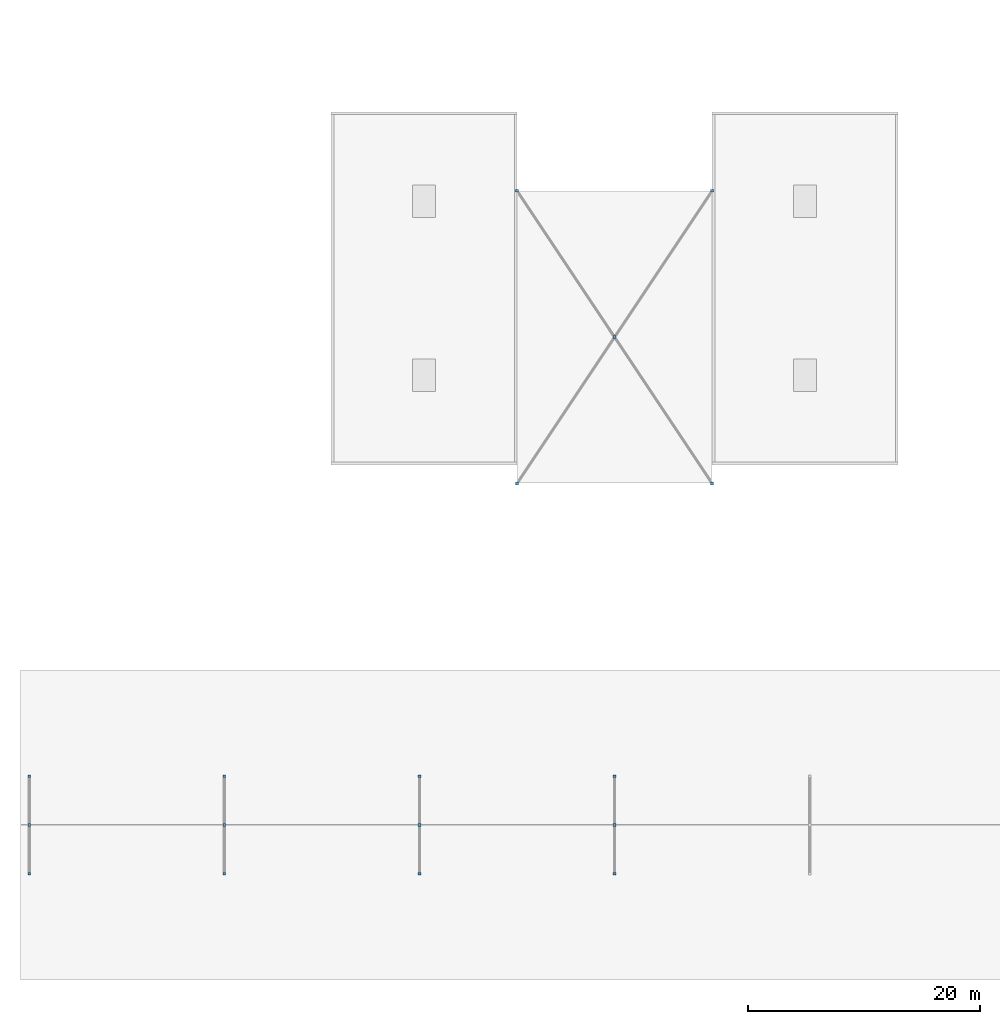
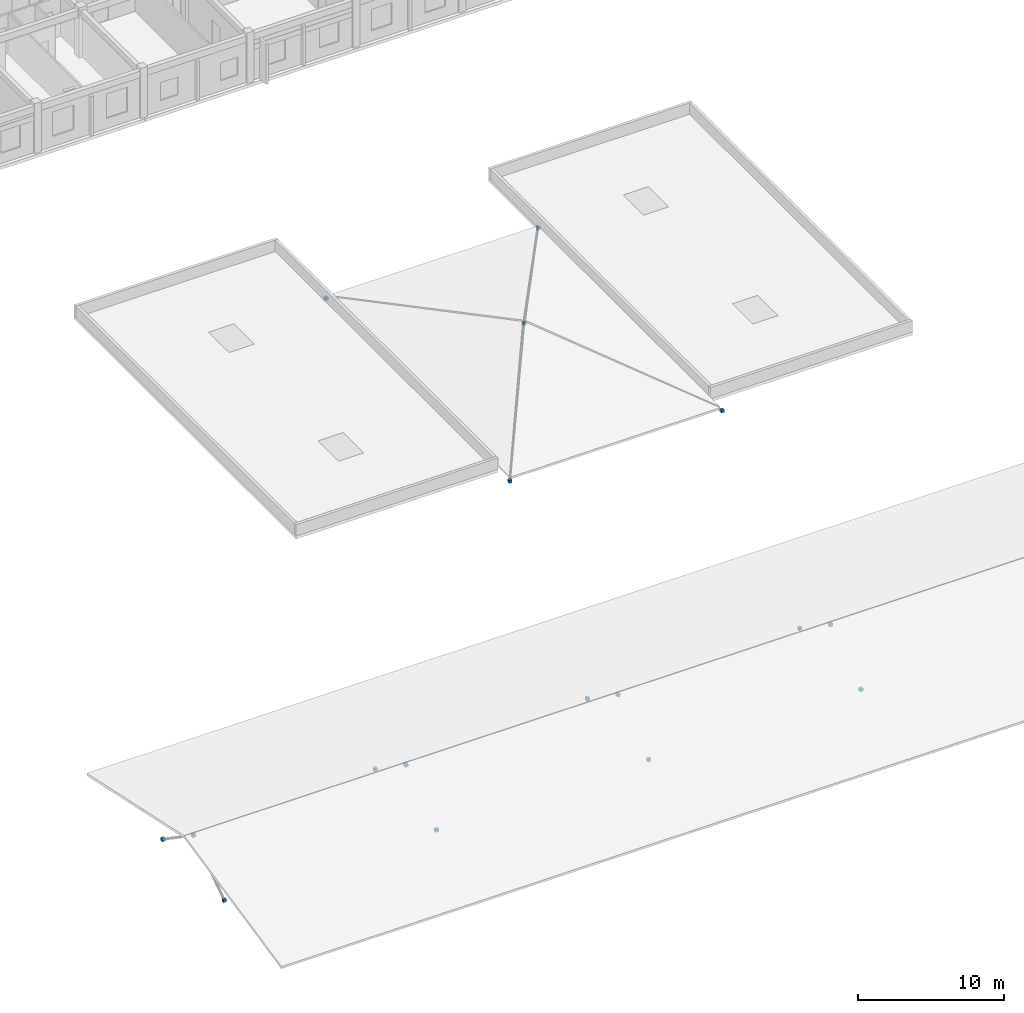
# One storey, part 14 of 21: 17 discrete accessories.
"""IFC4 building model written with IfcOpenShell, lengths in metres."""

from ifc_helpers import new_model, si_unit, direction, frame, origin, origin_2d, place, context, subcontext, project, spatial, rectangle, extrude, material, type_object, element, save


model = new_model("IFC4")

# Units and contexts
model_context = context("Model", 3, precision=1e-05, world=origin(), true_north=direction((0.0, 1.0)))
body_context = subcontext(model_context, "Body", "Model", "MODEL_VIEW")
ifc_project = project(units=[si_unit("LENGTHUNIT", "METRE"), si_unit("AREAUNIT", "SQUARE_METRE"), si_unit("VOLUMEUNIT", "CUBIC_METRE"), si_unit("PLANEANGLEUNIT", "RADIAN"), si_unit("MASSUNIT", "GRAM", prefix="KILO")], contexts=[model_context])

# Site, building, storey
site_placement = place(None, origin())
site = spatial("IfcSite", under=ifc_project, at=site_placement, CompositionType="ELEMENT")
building_placement = place(site_placement, origin())
building = spatial("IfcBuilding", under=site, at=building_placement, Name="Trelvath General Hospital", CompositionType="ELEMENT")
storey_placement = place(building_placement, frame((0.0, 0.0, 28.800048828125)))
storey = spatial("IfcBuildingStorey", under=building, at=storey_placement, Name="L07", CompositionType="ELEMENT", Elevation=28.800048828125)

# Discrete accessories
ifc_material = material(Name="Steel S355", Category="steel")
discrete_accessory_type = type_object("IfcDiscreteAccessoryType", Name="FacadeBracket S355", PredefinedType="BRACKET", material=ifc_material)
for number, where, z_axis, x_axis, name in (
    (1, (75.60009765625, 42.0, -0.1201171875), (0.0, 0.0, 1.0), (1.0, 0.0, 0.0), "Central Crown Strut Node 31-A"),
    (2, (84.0, 54.60009765625, 2.4599609375), (0.0, 0.0, 1.0), (1.0, 0.0, 0.0), "Central Crown Strut Node 31-B"),
    (3, (92.39990234375, 42.0, -0.1201171875), (0.0, 0.0, 1.0), (1.0, 0.0, 0.0), "Central Crown Strut Node 32-A"),
    (4, (92.39990234375, 67.199951171875, -0.1201171875), (0.0, 0.0, 1.0), (1.0, 0.0, 0.0), "Central Crown Strut Node 33-A"),
    (5, (75.60009765625, 67.199951171875, -0.1201171875), (0.0, 0.0, 1.0), (1.0, 0.0, 0.0), "Central Crown Strut Node 34-A"),
    (6, (33.60009765625, 8.39990234375, -0.1201171875), (0.0, 0.0, 1.0), (1.0, 0.0, 0.0), "South Ward Shell Strut Node 35-A"),
    (7, (33.60009765625, 12.60009765625, 2.759765625), (0.0, 0.0, 1.0), (1.0, 0.0, 0.0), "South Ward Shell Strut Node 35-B"),
    (8, (33.60009765625, 16.800048828125, -0.1201171875), (0.0, 0.0, 1.0), (1.0, 0.0, 0.0), "South Ward Shell Strut Node 36-A"),
    (9, (50.39990234375, 8.39990234375, -0.1201171875), (0.0, 0.0, 1.0), (1.0, 0.0, 0.0), "South Ward Shell Strut Node 37-A"),
    (10, (50.39990234375, 12.60009765625, 2.759765625), (0.0, 0.0, 1.0), (1.0, 0.0, 0.0), "South Ward Shell Strut Node 37-B"),
    (11, (50.39990234375, 16.800048828125, -0.1201171875), (0.0, 0.0, 1.0), (1.0, 0.0, 0.0), "South Ward Shell Strut Node 38-A"),
    (12, (67.199951171875, 8.39990234375, -0.1201171875), (0.0, 0.0, 1.0), (1.0, 0.0, 0.0), "South Ward Shell Strut Node 39-A"),
    (13, (67.199951171875, 12.60009765625, 2.759765625), (0.0, 0.0, 1.0), (1.0, 0.0, 0.0), "South Ward Shell Strut Node 39-B"),
    (14, (67.199951171875, 16.800048828125, -0.1201171875), (0.0, 0.0, 1.0), (1.0, 0.0, 0.0), "South Ward Shell Strut Node 40-A"),
    (15, (84.0, 8.39990234375, -0.1201171875), (0.0, 0.0, 1.0), (1.0, 0.0, 0.0), "South Ward Shell Strut Node 41-A"),
    (16, (84.0, 12.60009765625, 2.759765625), (0.0, 0.0, 1.0), (1.0, 0.0, 0.0), "South Ward Shell Strut Node 41-B"),
    (17, (84.0, 16.800048828125, -0.1201171875), (0.0, 0.0, 1.0), (1.0, 0.0, 0.0), "South Ward Shell Strut Node 42-A"),
):
    element("IfcDiscreteAccessory", number, at=place(storey_placement, frame(where, z_axis=z_axis, x_axis=x_axis)), inside=storey, type_object=discrete_accessory_type, Name=name, PredefinedType="BRACKET", context=body_context, shape_type="SweptSolid", body=[
        extrude(rectangle(XDim=0.239990234375, YDim=0.239990234375, at=origin_2d()), origin(), (0.0, 0.0, 1.0), 0.239990234375),
    ])

save(model, "model.ifc")
